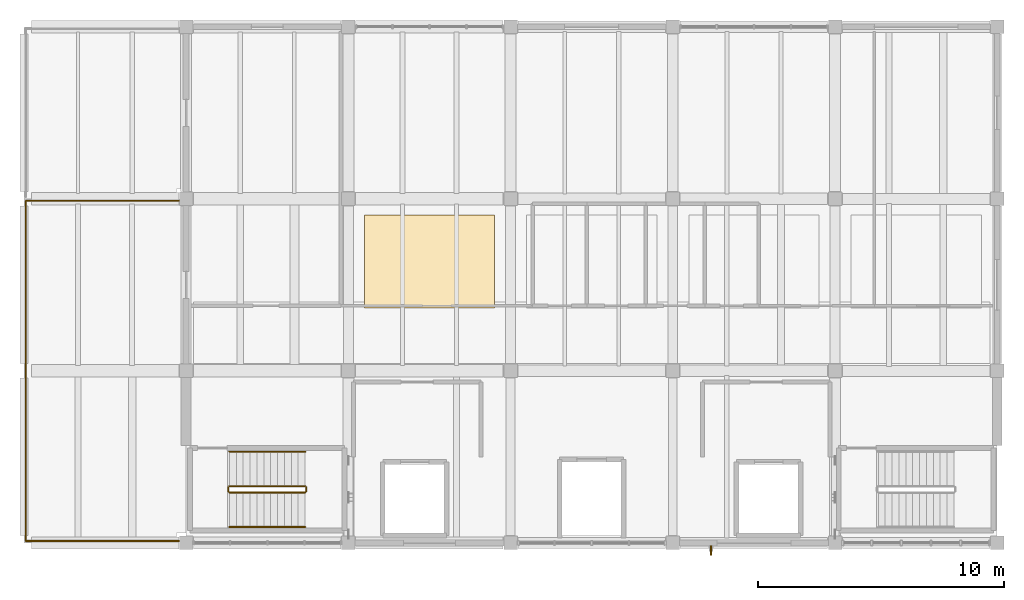
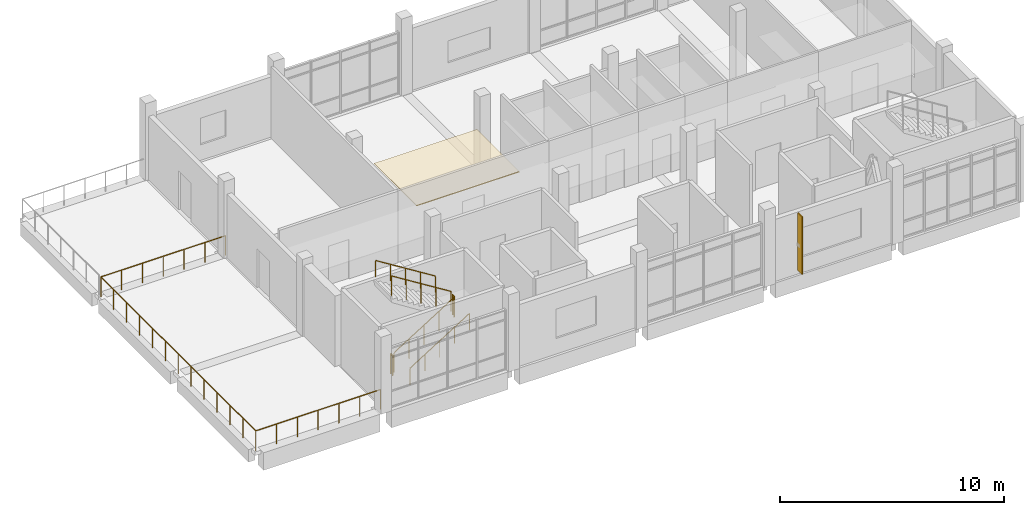
# One storey, part 10 of 12: 9 railings, 1 covering, 1 shading device.
"""IFC4 building model written with IfcOpenShell, lengths in metres."""

from ifc_helpers import new_model, si_unit, direction, frame, origin, origin_2d, place, context, subcontext, project, spatial, polyline, rectangle, circle, outline, extrude, material, layer, layer_set, material_profile, profile_set, type_object, element, save


model = new_model("IFC4")

# Units and contexts
model_context = context("Model", 3, precision=1e-05, world=origin(), true_north=direction((0.0, 1.0)))
body_context = subcontext(model_context, "Body", "Model", "MODEL_VIEW")
ifc_project = project(units=[si_unit("LENGTHUNIT", "METRE"), si_unit("AREAUNIT", "SQUARE_METRE"), si_unit("VOLUMEUNIT", "CUBIC_METRE"), si_unit("PLANEANGLEUNIT", "RADIAN"), si_unit("MASSUNIT", "GRAM", prefix="KILO")], contexts=[model_context])

# Site, building, storey
site_placement = place(None, origin())
site = spatial("IfcSite", under=ifc_project, at=site_placement, CompositionType="ELEMENT")
building_placement = place(site_placement, origin())
building = spatial("IfcBuilding", under=site, at=building_placement, Name="Ciguamira Faculty of Natural Sciences", CompositionType="ELEMENT")
storey_placement = place(building_placement, frame((0.0, 0.0, 37.800048828125)))
storey = spatial("IfcBuildingStorey", under=building, at=storey_placement, Name="L09", CompositionType="ELEMENT", Elevation=37.800048828125)

# Covering
ifc_material_1 = material(Name="Perforated white acoustic ceiling")
ifc_layer = layer(ifc_material_1, 0.0400390625, Name="Perforated white acoustic ceiling")
ifc_layer_set = layer_set([ifc_layer], Name="Perforated white acoustic ceiling")
covering_type = type_object("IfcCoveringType", Name="AcousticCeiling_AC01", PredefinedType="CEILING", material=ifc_layer_set)
covering_placement = place(storey_placement, frame((0.0, 0.0, 2.760009765625)))
element("IfcCovering", 1, at=covering_placement, inside=storey, type_object=covering_type, Name="L09 research bay 01 acoustic ceiling", PredefinedType="CEILING", context=body_context, shape_type="SweptSolid", body=[
    extrude(outline(polyline([(77.75, 103.550048828125), (83.050048828125, 103.550048828125), (83.050048828125, 107.35009765625), (77.75, 107.35009765625), (77.75, 103.550048828125)])), origin(), (0.0, 0.0, 1.0), 0.0400390625),
])

# Railings
ifc_material_2 = material(Name="Stainless steel balustrade", Category="steel")
railing_type_1 = type_object("IfcRailingType", Name="Guardrail_GR01", PredefinedType="GUARDRAIL", material=ifc_material_2)
railing_1_placement = place(storey_placement, frame((63.97998046875, 94.080078125, 0.0)))
element("IfcRailing", 2, at=railing_1_placement, inside=storey, type_object=railing_type_1, Name="L09 Upper West Faculty Sky Terrace south guardrail", PredefinedType="GUARDRAIL", context=body_context, shape_type="SweptSolid", body=[
    extrude(circle(Radius=0.02392578125, at=origin_2d()), frame((0.0, 0.0, 1.076171875), z_axis=(1.0, 0.0, 0.0), x_axis=(0.0, 1.0, 0.0)), (0.0, 0.0, 1.0), 6.43994140625),
    extrude(circle(Radius=0.02099609375, at=origin_2d()), origin(), (0.0, 0.0, 1.0), 1.052001953125),
    extrude(circle(Radius=0.02099609375, at=origin_2d()), frame((1.0732421875, 0.0, 0.0)), (0.0, 0.0, 1.0), 1.052001953125),
    extrude(circle(Radius=0.02099609375, at=origin_2d()), frame((2.146728515625, 0.0, 0.0)), (0.0, 0.0, 1.0), 1.052001953125),
    extrude(circle(Radius=0.02099609375, at=origin_2d()), frame((3.219970703125, 0.0, 0.0)), (0.0, 0.0, 1.0), 1.052001953125),
    extrude(circle(Radius=0.02099609375, at=origin_2d()), frame((4.293212890625, 0.0, 0.0)), (0.0, 0.0, 1.0), 1.052001953125),
    extrude(circle(Radius=0.02099609375, at=origin_2d()), frame((5.36669921875, 0.0, 0.0)), (0.0, 0.0, 1.0), 1.052001953125),
    extrude(circle(Radius=0.02099609375, at=origin_2d()), frame((6.43994140625, 0.0, 0.0)), (0.0, 0.0, 1.0), 1.052001953125),
])
railing_2_placement = place(storey_placement, frame((63.97998046875, 94.080078125, 0.0)))
element("IfcRailing", 3, at=railing_2_placement, inside=storey, type_object=railing_type_1, Name="L09 Upper West Faculty Sky Terrace west guardrail", PredefinedType="GUARDRAIL", context=body_context, shape_type="SweptSolid", body=[
    extrude(circle(Radius=0.02392578125, at=origin_2d()), frame((0.0, 0.0, 1.076171875), z_axis=(0.0, 1.0, 0.0), x_axis=(-1.0, 0.0, 0.0)), (0.0, 0.0, 1.0), 13.83984375),
    extrude(circle(Radius=0.02099609375, at=origin_2d()), origin(), (0.0, 0.0, 1.0), 1.052001953125),
    extrude(circle(Radius=0.02099609375, at=origin_2d()), frame((0.0, 1.1533203125, 0.0)), (0.0, 0.0, 1.0), 1.052001953125),
    extrude(circle(Radius=0.02099609375, at=origin_2d()), frame((0.0, 2.306640625, 0.0)), (0.0, 0.0, 1.0), 1.052001953125),
    extrude(circle(Radius=0.02099609375, at=origin_2d()), frame((0.0, 3.4599609375, 0.0)), (0.0, 0.0, 1.0), 1.052001953125),
    extrude(circle(Radius=0.02099609375, at=origin_2d()), frame((0.0, 4.61328125, 0.0)), (0.0, 0.0, 1.0), 1.052001953125),
    extrude(circle(Radius=0.02099609375, at=origin_2d()), frame((0.0, 5.7666015625, 0.0)), (0.0, 0.0, 1.0), 1.052001953125),
    extrude(circle(Radius=0.02099609375, at=origin_2d()), frame((0.0, 6.919921875, 0.0)), (0.0, 0.0, 1.0), 1.052001953125),
    extrude(circle(Radius=0.02099609375, at=origin_2d()), frame((0.0, 8.0732421875, 0.0)), (0.0, 0.0, 1.0), 1.052001953125),
    extrude(circle(Radius=0.02099609375, at=origin_2d()), frame((0.0, 9.2265625, 0.0)), (0.0, 0.0, 1.0), 1.052001953125),
    extrude(circle(Radius=0.02099609375, at=origin_2d()), frame((0.0, 10.3798828125, 0.0)), (0.0, 0.0, 1.0), 1.052001953125),
    extrude(circle(Radius=0.02099609375, at=origin_2d()), frame((0.0, 11.533203125, 0.0)), (0.0, 0.0, 1.0), 1.052001953125),
    extrude(circle(Radius=0.02099609375, at=origin_2d()), frame((0.0, 12.6865234375, 0.0)), (0.0, 0.0, 1.0), 1.052001953125),
    extrude(circle(Radius=0.02099609375, at=origin_2d()), frame((0.0, 13.83984375, 0.0)), (0.0, 0.0, 1.0), 1.052001953125),
])
railing_3_placement = place(storey_placement, frame((63.97998046875, 107.919921875, 0.0)))
element("IfcRailing", 4, at=railing_3_placement, inside=storey, type_object=railing_type_1, Name="L09 Upper West Faculty Sky Terrace north guardrail", PredefinedType="GUARDRAIL", context=body_context, shape_type="SweptSolid", body=[
    extrude(circle(Radius=0.02392578125, at=origin_2d()), frame((0.0, 0.0, 1.076171875), z_axis=(1.0, 0.0, 0.0), x_axis=(0.0, 1.0, 0.0)), (0.0, 0.0, 1.0), 6.43994140625),
    extrude(circle(Radius=0.02099609375, at=origin_2d()), origin(), (0.0, 0.0, 1.0), 1.052001953125),
    extrude(circle(Radius=0.02099609375, at=origin_2d()), frame((1.0732421875, 0.0, 0.0)), (0.0, 0.0, 1.0), 1.052001953125),
    extrude(circle(Radius=0.02099609375, at=origin_2d()), frame((2.146728515625, 0.0, 0.0)), (0.0, 0.0, 1.0), 1.052001953125),
    extrude(circle(Radius=0.02099609375, at=origin_2d()), frame((3.219970703125, 0.0, 0.0)), (0.0, 0.0, 1.0), 1.052001953125),
    extrude(circle(Radius=0.02099609375, at=origin_2d()), frame((4.293212890625, 0.0, 0.0)), (0.0, 0.0, 1.0), 1.052001953125),
    extrude(circle(Radius=0.02099609375, at=origin_2d()), frame((5.36669921875, 0.0, 0.0)), (0.0, 0.0, 1.0), 1.052001953125),
    extrude(circle(Radius=0.02099609375, at=origin_2d()), frame((6.43994140625, 0.0, 0.0)), (0.0, 0.0, 1.0), 1.052001953125),
])
railing_4_placement = place(storey_placement, frame((72.260009765625, 96.050048828125, 0.175048828125)))
element("IfcRailing", 5, at=railing_4_placement, inside=storey, type_object=railing_type_1, Name="L09 ST-T1 stair guard 1", PredefinedType="GUARDRAIL", context=body_context, shape_type="SweptSolid", body=[
    extrude(circle(Radius=0.02392578125, at=origin_2d()), frame((0.0, 0.0, 1.076171875), z_axis=(0.848028513186, 0.0, 0.529950602248), x_axis=(0.0, 1.0, 0.0)), (0.0, 0.0, 1.0), 3.632080078125),
    extrude(circle(Radius=0.02099609375, at=origin_2d()), origin(), (0.0, 0.0, 1.0), 1.052001953125),
    extrude(circle(Radius=0.02099609375, at=origin_2d()), frame((0.77001953125, 0.0, 0.481201171875)), (0.0, 0.0, 1.0), 1.052001953125),
    extrude(circle(Radius=0.02099609375, at=origin_2d()), frame((1.5400390625, 0.0, 0.96240234375)), (0.0, 0.0, 1.0), 1.052001953125),
    extrude(circle(Radius=0.02099609375, at=origin_2d()), frame((2.31005859375, 0.0, 1.443603515625)), (0.0, 0.0, 1.0), 1.052001953125),
    extrude(circle(Radius=0.02099609375, at=origin_2d()), frame((3.080078125, 0.0, 1.9248046875)), (0.0, 0.0, 1.0), 1.052001953125),
])
railing_5_placement = place(storey_placement, frame((75.389892578125, 96.10009765625, 2.099853515625)))
element("IfcRailing", 6, at=railing_5_placement, inside=storey, type_object=railing_type_1, Name="L09 ST-T1 stair guard 2", PredefinedType="GUARDRAIL", context=body_context, shape_type="SweptSolid", body=[
    extrude(circle(Radius=0.02392578125, at=origin_2d()), frame((0.0, 0.0, 1.076171875), z_axis=(0.0, 1.0, 0.0), x_axis=(-1.0, 0.0, 0.0)), (0.0, 0.0, 1.0), 0.159912109375),
    extrude(circle(Radius=0.02099609375, at=origin_2d()), origin(), (0.0, 0.0, 1.0), 1.052001953125),
    extrude(circle(Radius=0.02099609375, at=origin_2d()), frame((0.0, 0.159912109375, 0.0)), (0.0, 0.0, 1.0), 1.052001953125),
])
railing_6_placement = place(storey_placement, frame((75.340087890625, 96.31005859375, 2.27490234375)))
element("IfcRailing", 7, at=railing_6_placement, inside=storey, type_object=railing_type_1, Name="L09 ST-T1 stair guard 3", PredefinedType="GUARDRAIL", context=body_context, shape_type="SweptSolid", body=[
    extrude(circle(Radius=0.02392578125, at=origin_2d()), frame((0.0, 0.0, 1.076171875), z_axis=(-0.847998304005, 0.0, 0.529998940003), x_axis=(0.0, -1.0, 0.0)), (0.0, 0.0, 1.0), 3.632080078125),
    extrude(circle(Radius=0.02099609375, at=origin_2d()), origin(), (0.0, 0.0, 1.0), 1.052001953125),
    extrude(circle(Radius=0.02099609375, at=origin_2d()), frame((-0.77001953125, 0.0, 0.481201171875)), (0.0, 0.0, 1.0), 1.052001953125),
    extrude(circle(Radius=0.02099609375, at=origin_2d()), frame((-1.5400390625, 0.0, 0.96240234375)), (0.0, 0.0, 1.0), 1.052001953125),
    extrude(circle(Radius=0.02099609375, at=origin_2d()), frame((-2.31005859375, 0.0, 1.44384765625)), (0.0, 0.0, 1.0), 1.052001953125),
    extrude(circle(Radius=0.02099609375, at=origin_2d()), frame((-3.080078125, 0.0, 1.925048828125)), (0.0, 0.0, 1.0), 1.052001953125),
])
railing_7_placement = place(storey_placement, frame((72.2099609375, 96.10009765625, 0.0)))
element("IfcRailing", 8, at=railing_7_placement, inside=storey, type_object=railing_type_1, Name="L09 ST-T1 stair guard 4", PredefinedType="GUARDRAIL", context=body_context, shape_type="SweptSolid", body=[
    extrude(circle(Radius=0.02392578125, at=origin_2d()), frame((0.0, 0.0, 1.076171875), z_axis=(0.0, 1.0, 0.0), x_axis=(-1.0, 0.0, 0.0)), (0.0, 0.0, 1.0), 0.159912109375),
    extrude(circle(Radius=0.02099609375, at=origin_2d()), origin(), (0.0, 0.0, 1.0), 1.052001953125),
    extrude(circle(Radius=0.02099609375, at=origin_2d()), frame((0.0, 0.159912109375, 0.0)), (0.0, 0.0, 1.0), 1.052001953125),
])
ifc_material_3 = material(Name="Stainless steel handrail", Category="steel")
railing_type_2 = type_object("IfcRailingType", Name="Handrail_HR01", PredefinedType="HANDRAIL", material=ifc_material_3)
railing_8_placement = place(storey_placement, frame((72.260009765625, 94.64990234375, 0.349853515625)))
element("IfcRailing", 9, at=railing_8_placement, inside=storey, type_object=railing_type_2, Name="L09 ST-T1 stair handrail 1", PredefinedType="HANDRAIL", context=body_context, shape_type="SweptSolid", body=[
    extrude(circle(Radius=0.02392578125, at=origin_2d()), frame((0.0, 0.0, 0.89111328125), z_axis=(0.847998304005, 0.0, 0.529998940003), x_axis=(0.0, 1.0, 0.0)), (0.0, 0.0, 1.0), 3.632080078125),
    extrude(circle(Radius=0.02099609375, at=origin_2d()), origin(), (0.0, 0.0, 1.0), 0.866943359375),
    extrude(circle(Radius=0.02099609375, at=origin_2d()), frame((0.77001953125, 0.0, 0.481201171875)), (0.0, 0.0, 1.0), 0.866943359375),
    extrude(circle(Radius=0.02099609375, at=origin_2d()), frame((1.5400390625, 0.0, 0.96240234375)), (0.0, 0.0, 1.0), 0.866943359375),
    extrude(circle(Radius=0.02099609375, at=origin_2d()), frame((2.31005859375, 0.0, 1.44384765625)), (0.0, 0.0, 1.0), 0.866943359375),
    extrude(circle(Radius=0.02099609375, at=origin_2d()), frame((3.080078125, 0.0, 1.925048828125)), (0.0, 0.0, 1.0), 0.866943359375),
])
railing_9_placement = place(storey_placement, frame((75.340087890625, 97.7099609375, 2.449951171875)))
element("IfcRailing", 10, at=railing_9_placement, inside=storey, type_object=railing_type_2, Name="L09 ST-T1 stair handrail 2", PredefinedType="HANDRAIL", context=body_context, shape_type="SweptSolid", body=[
    extrude(circle(Radius=0.02392578125, at=origin_2d()), frame((0.0, 0.0, 0.89111328125), z_axis=(-0.847998304005, 0.0, 0.529998940003), x_axis=(0.0, -1.0, 0.0)), (0.0, 0.0, 1.0), 3.632080078125),
    extrude(circle(Radius=0.02099609375, at=origin_2d()), origin(), (0.0, 0.0, 1.0), 0.866943359375),
    extrude(circle(Radius=0.02099609375, at=origin_2d()), frame((-0.77001953125, 0.0, 0.481201171875)), (0.0, 0.0, 1.0), 0.866943359375),
    extrude(circle(Radius=0.02099609375, at=origin_2d()), frame((-1.5400390625, 0.0, 0.96240234375)), (0.0, 0.0, 1.0), 0.866943359375),
    extrude(circle(Radius=0.02099609375, at=origin_2d()), frame((-2.31005859375, 0.0, 1.44384765625)), (0.0, 0.0, 1.0), 0.866943359375),
    extrude(circle(Radius=0.02099609375, at=origin_2d()), frame((-3.080078125, 0.0, 1.925048828125)), (0.0, 0.0, 1.0), 0.866943359375),
])

# Shading device
ifc_material_4 = material(Name="Anodized bronze sunshade fin")
ifc_material_profile = material_profile(ifc_material_4, rectangle(XDim=0.06494140625, YDim=0.3798828125, at=origin_2d()), Name="BRZ-FIN-65X380")
ifc_profile_set = profile_set([ifc_material_profile], Name="Anodized bronze sunshade fin")
shading_device_type = type_object("IfcShadingDeviceType", Name="SunFin_SF01", PredefinedType="USERDEFINED", material=ifc_profile_set)
shading_device_placement = place(storey_placement, frame((91.85009765625, 93.68994140625, 0.199951171875), z_axis=(0.0, 0.0, 1.0), x_axis=(1.0, 0.0, 0.0)))
element("IfcShadingDevice", 11, at=shading_device_placement, inside=storey, type_object=shading_device_type, Name="L09 bronze vertical sunshade fin 0037", ObjectType="SUNSHADE FIN", PredefinedType="USERDEFINED", context=body_context, shape_type="SweptSolid", body=[
    extrude(rectangle(XDim=0.06494140625, YDim=0.3798828125, at=origin_2d()), origin(), (0.0, 0.0, 1.0), 3.135009765625),
])

save(model, "model.ifc")
